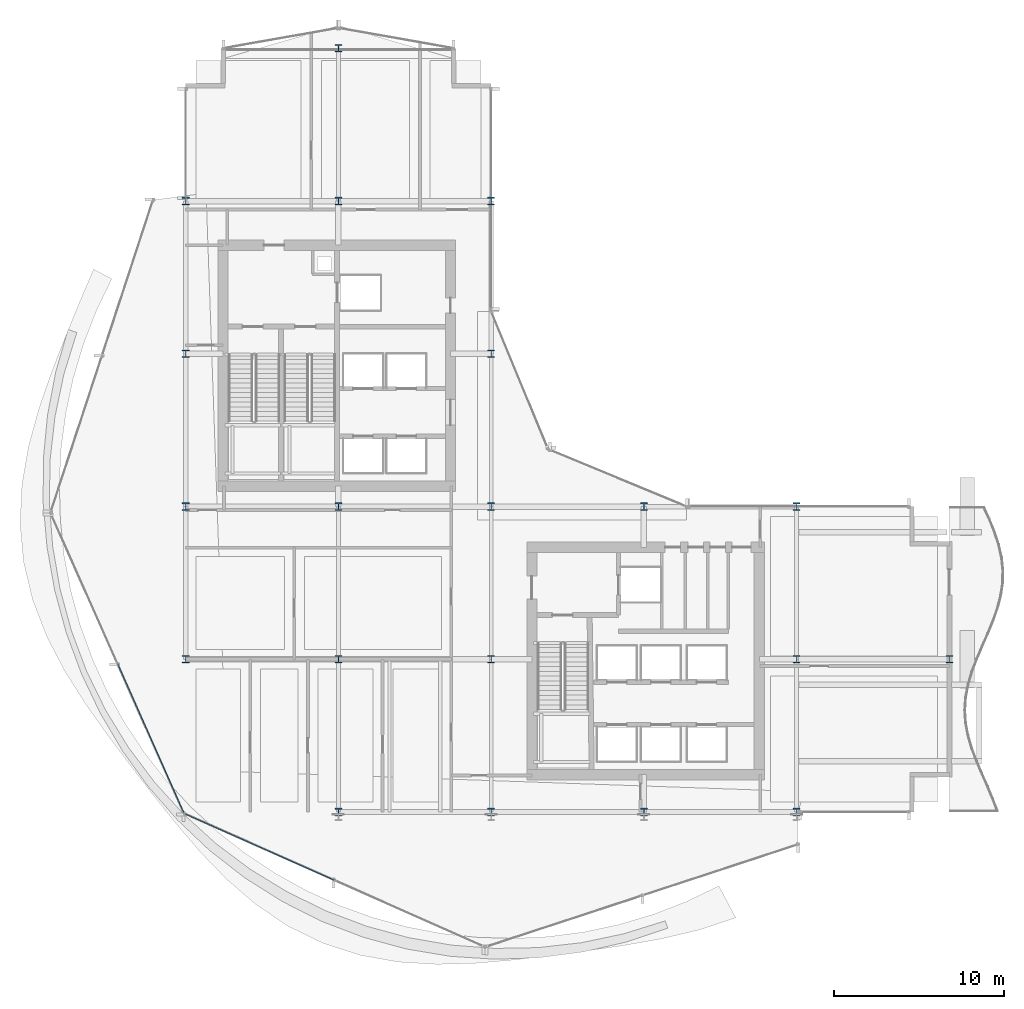
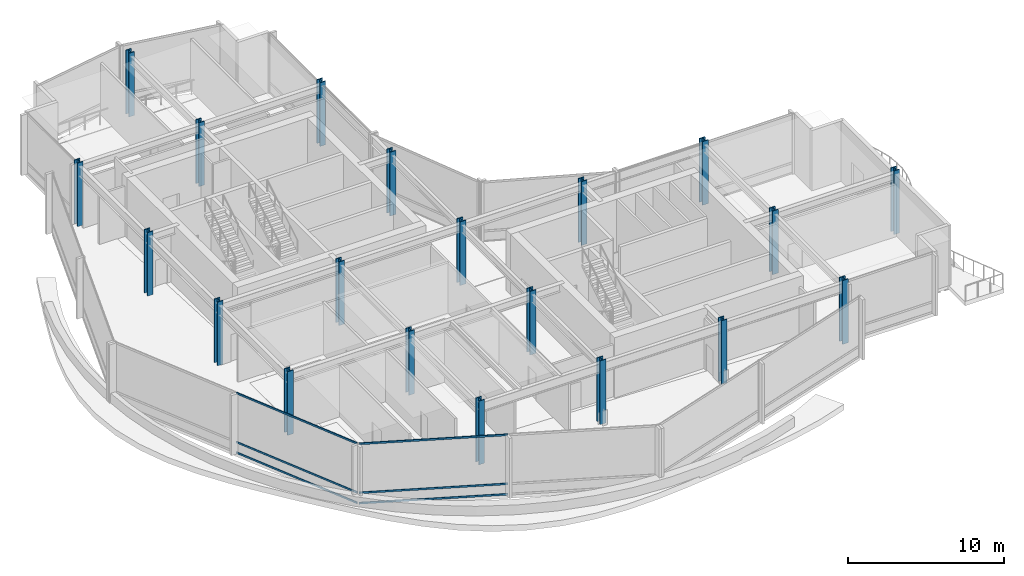
# One storey, part 1 of 33: 20 columns, 6 members, 2 elements without a shape of their own.
"""IFC4 building model written with IfcOpenShell, lengths in metres."""

from ifc_helpers import new_model, si_unit, direction, frame, origin, origin_2d, place, context, subcontext, project, spatial, hollow_rectangle, i_section, extrude, material, layer, layer_set, material_profile, profile_set, type_object, element, aggregate, save


model = new_model("IFC4")

# Units and contexts
model_context = context("Model", 3, precision=1e-05, world=origin(), true_north=direction((0.0, 1.0)))
body_context = subcontext(model_context, "Body", "Model", "MODEL_VIEW")
ifc_project = project(units=[si_unit("LENGTHUNIT", "METRE"), si_unit("AREAUNIT", "SQUARE_METRE"), si_unit("VOLUMEUNIT", "CUBIC_METRE"), si_unit("PLANEANGLEUNIT", "RADIAN"), si_unit("MASSUNIT", "GRAM", prefix="KILO")], contexts=[model_context])

# Site, building, storey
site_placement = place(None, origin())
site = spatial("IfcSite", under=ifc_project, at=site_placement, CompositionType="ELEMENT")
building_placement = place(site_placement, origin())
building = spatial("IfcBuilding", under=site, at=building_placement, Name="Solvaryn Broadcast Tower", CompositionType="ELEMENT")
storey_placement = place(building_placement, frame((0.0, 0.0, 105.0)))
storey = spatial("IfcBuildingStorey", under=building, at=storey_placement, Name="L25", CompositionType="ELEMENT", Elevation=105.0)

# Columns
ifc_material_1 = material(Name="Steel ASTM A913 Grade 65", Category="steel")
ifc_material_profile_1 = material_profile(ifc_material_1, i_section(OverallWidth=0.41796875, OverallDepth=0.455078125, WebThickness=0.0419921875, FlangeThickness=0.067626953125, FilletRadius=0.014892578125, at=origin_2d()))
ifc_profile_set_1 = profile_set([ifc_material_profile_1], Name="Steel ASTM A913 Grade 65")
column_type_1 = type_object("IfcColumnType", Name="COL-C05E-W14X370", PredefinedType="COLUMN", material=ifc_profile_set_1)
for number, where, z_axis, x_axis, name in (
    (1, (9.0, 18.0, 0.0), (0.0, 0.0, 1.0), (1.0, 0.0, 0.0), "L25 Column (9.0, 18.0)"),
    (2, (9.0, 27.0, 0.0), (0.0, 0.0, 1.0), (1.0, 0.0, 0.0), "L25 Column (9.0, 27.0)"),
    (3, (9.0, 36.0, 0.0), (0.0, 0.0, 1.0), (1.0, 0.0, 0.0), "L25 Column (9.0, 36.0)"),
    (4, (9.0, 45.0, 0.0), (0.0, 0.0, 1.0), (1.0, 0.0, 0.0), "L25 Column (9.0, 45.0)"),
    (5, (18.0, 9.0, 0.0), (0.0, 0.0, 1.0), (1.0, 0.0, 0.0), "L25 Column (18.0, 9.0)"),
    (6, (18.0, 54.0, 0.0), (0.0, 0.0, 1.0), (1.0, 0.0, 0.0), "L25 Column (18.0, 54.0)"),
    (7, (27.0, 9.0, 0.0), (0.0, 0.0, 1.0), (1.0, 0.0, 0.0), "L25 Column (27.0, 9.0)"),
    (8, (27.0, 36.0, 0.0), (0.0, 0.0, 1.0), (1.0, 0.0, 0.0), "L25 Column (27.0, 36.0)"),
    (9, (27.0, 45.0, 0.0), (0.0, 0.0, 1.0), (1.0, 0.0, 0.0), "L25 Column (27.0, 45.0)"),
    (10, (36.0, 9.0, 0.0), (0.0, 0.0, 1.0), (1.0, 0.0, 0.0), "L25 Column (36.0, 9.0)"),
    (11, (36.0, 27.0, 0.0), (0.0, 0.0, 1.0), (1.0, 0.0, 0.0), "L25 Column (36.0, 27.0)"),
    (12, (45.0, 9.0, 0.0), (0.0, 0.0, 1.0), (1.0, 0.0, 0.0), "L25 Column (45.0, 9.0)"),
    (13, (45.0, 27.0, 0.0), (0.0, 0.0, 1.0), (1.0, 0.0, 0.0), "L25 Column (45.0, 27.0)"),
    (14, (54.0, 18.0, 0.0), (0.0, 0.0, 1.0), (1.0, 0.0, 0.0), "L25 Column (54.0, 18.0)"),
):
    element("IfcColumn", number, at=place(storey_placement, frame(where, z_axis=z_axis, x_axis=x_axis)), inside=storey, type_object=column_type_1, Name=name, PredefinedType="COLUMN", context=body_context, shape_type="SweptSolid", body=[
        extrude(i_section(OverallWidth=0.41796875, OverallDepth=0.455078125, WebThickness=0.0419921875, FlangeThickness=0.067626953125, FilletRadius=0.014892578125, at=origin_2d()), origin(), (0.0, 0.0, 1.0), 5.0),
    ])
ifc_material_2 = material(Name="Steel ASTM A913 Grade 65", Category="steel")
ifc_material_profile_2 = material_profile(ifc_material_2, i_section(OverallWidth=0.41796875, OverallDepth=0.455078125, WebThickness=0.0419921875, FlangeThickness=0.067626953125, FilletRadius=0.014892578125, at=origin_2d()))
ifc_profile_set_2 = profile_set([ifc_material_profile_2], Name="Steel ASTM A913 Grade 65")
column_type_2 = type_object("IfcColumnType", Name="COL-C05I-W14X370", PredefinedType="COLUMN", material=ifc_profile_set_2)
for number, where, z_axis, x_axis, name in (
    (15, (18.0, 18.0, 0.0), (0.0, 0.0, 1.0), (1.0, 0.0, 0.0), "L25 Column (18.0, 18.0)"),
    (16, (18.0, 27.0, 0.0), (0.0, 0.0, 1.0), (1.0, 0.0, 0.0), "L25 Column (18.0, 27.0)"),
    (17, (18.0, 45.0, 0.0), (0.0, 0.0, 1.0), (1.0, 0.0, 0.0), "L25 Column (18.0, 45.0)"),
    (18, (27.0, 18.0, 0.0), (0.0, 0.0, 1.0), (1.0, 0.0, 0.0), "L25 Column (27.0, 18.0)"),
    (19, (27.0, 27.0, 0.0), (0.0, 0.0, 1.0), (1.0, 0.0, 0.0), "L25 Column (27.0, 27.0)"),
    (20, (45.0, 18.0, 0.0), (0.0, 0.0, 1.0), (1.0, 0.0, 0.0), "L25 Column (45.0, 18.0)"),
):
    element("IfcColumn", number, at=place(storey_placement, frame(where, z_axis=z_axis, x_axis=x_axis)), inside=storey, type_object=column_type_2, Name=name, PredefinedType="COLUMN", context=body_context, shape_type="SweptSolid", body=[
        extrude(i_section(OverallWidth=0.41796875, OverallDepth=0.455078125, WebThickness=0.0419921875, FlangeThickness=0.067626953125, FilletRadius=0.014892578125, at=origin_2d()), origin(), (0.0, 0.0, 1.0), 5.0),
    ])

# Curtain wall, members
ifc_material_3 = material(Name="Aluminium and Terracotta Unitised Curtain Wall", Category="masonry")
ifc_layer = layer(ifc_material_3, 0.25)
ifc_layer_set = layer_set([ifc_layer], Name="CW-SYS4-SKYGARDEN")
curtain_wall_type = type_object("IfcCurtainWallType", Name="CW-SYS4-SKYGARDEN", PredefinedType="NOTDEFINED", material=ifc_layer_set)
curtain_wall_1_placement = place(storey_placement, origin())
curtain_wall_1 = element("IfcCurtainWall", 21, at=curtain_wall_1_placement, inside=storey, type_object=curtain_wall_type, Name="L25 Curtain Wall DR2", PredefinedType="NOTDEFINED")
ifc_material_4 = material(Name="Anodised Aluminium 6063-T6", Category="aluminium")
ifc_material_profile_3 = material_profile(ifc_material_4, hollow_rectangle(XDim=0.06494140625, YDim=0.14990234375, WallThickness=0.00390625, InnerFilletRadius=0.00390625, OuterFilletRadius=0.008056640625, at=origin_2d()))
ifc_profile_set_3 = profile_set([ifc_material_profile_3], Name="Anodised Aluminium 6063-T6")
member_type = type_object("IfcMemberType", Name="CW-TRN-150", PredefinedType="USERDEFINED", material=ifc_profile_set_3)
member_1_placement = place(storey_placement, frame((4.983154296875, 17.74462890625, 0.030029296875), z_axis=(0.405912142424, -0.913912103341, 0.0), x_axis=(0.913912103341, 0.405912142424, 0.0)))
member_1 = element("IfcMember", 22, at=member_1_placement, type_object=member_type, Name="CWS4 transom 2.1", ObjectType="TRANSOM", PredefinedType="USERDEFINED", context=body_context, shape_type="SweptSolid", body=[
    extrude(hollow_rectangle(XDim=0.06494140625, YDim=0.14990234375, WallThickness=0.00390625, InnerFilletRadius=0.00390625, OuterFilletRadius=0.008056640625, at=origin_2d()), origin(), (0.0, 0.0, 1.0), 9.60888671875),
])
member_2_placement = place(storey_placement, frame((4.983154296875, 17.74462890625, 0.85009765625), z_axis=(0.405912142424, -0.913912103341, 0.0), x_axis=(0.913912103341, 0.405912142424, 0.0)))
member_2 = element("IfcMember", 23, at=member_2_placement, type_object=member_type, Name="CWS4 transom 2.2", ObjectType="TRANSOM", PredefinedType="USERDEFINED", context=body_context, shape_type="SweptSolid", body=[
    extrude(hollow_rectangle(XDim=0.06494140625, YDim=0.14990234375, WallThickness=0.00390625, InnerFilletRadius=0.00390625, OuterFilletRadius=0.008056640625, at=origin_2d()), origin(), (0.0, 0.0, 1.0), 9.60888671875),
])
member_3_placement = place(storey_placement, frame((4.983154296875, 17.74462890625, 4.68994140625), z_axis=(0.405912142424, -0.913912103341, 0.0), x_axis=(0.913912103341, 0.405912142424, 0.0)))
member_3 = element("IfcMember", 24, at=member_3_placement, type_object=member_type, Name="CWS4 transom 2.3", ObjectType="TRANSOM", PredefinedType="USERDEFINED", context=body_context, shape_type="SweptSolid", body=[
    extrude(hollow_rectangle(XDim=0.06494140625, YDim=0.14990234375, WallThickness=0.00390625, InnerFilletRadius=0.00390625, OuterFilletRadius=0.008056640625, at=origin_2d()), origin(), (0.0, 0.0, 1.0), 9.60888671875),
])
aggregate(curtain_wall_1, [member_1, member_2, member_3])

curtain_wall_2_placement = place(storey_placement, origin())
curtain_wall_2 = element("IfcCurtainWall", 25, at=curtain_wall_2_placement, inside=storey, type_object=curtain_wall_type, Name="L25 Curtain Wall DR3", PredefinedType="NOTDEFINED")
member_4_placement = place(storey_placement, frame((8.962890625, 8.883544921875, 0.030029296875), z_axis=(0.913912103341, -0.405912142424, 0.0), x_axis=(0.405912142424, 0.913912103341, 0.0)))
member_4 = element("IfcMember", 26, at=member_4_placement, type_object=member_type, Name="CWS4 transom 1.1", ObjectType="TRANSOM", PredefinedType="USERDEFINED", context=body_context, shape_type="SweptSolid", body=[
    extrude(hollow_rectangle(XDim=0.06494140625, YDim=0.14990234375, WallThickness=0.00390625, InnerFilletRadius=0.00390625, OuterFilletRadius=0.008056640625, at=origin_2d()), origin(), (0.0, 0.0, 1.0), 9.60888671875),
])
member_5_placement = place(storey_placement, frame((8.962890625, 8.883544921875, 0.85009765625), z_axis=(0.913912103341, -0.405912142424, 0.0), x_axis=(0.405912142424, 0.913912103341, 0.0)))
member_5 = element("IfcMember", 27, at=member_5_placement, type_object=member_type, Name="CWS4 transom 1.2", ObjectType="TRANSOM", PredefinedType="USERDEFINED", context=body_context, shape_type="SweptSolid", body=[
    extrude(hollow_rectangle(XDim=0.06494140625, YDim=0.14990234375, WallThickness=0.00390625, InnerFilletRadius=0.00390625, OuterFilletRadius=0.008056640625, at=origin_2d()), origin(), (0.0, 0.0, 1.0), 9.60888671875),
])
member_6_placement = place(storey_placement, frame((8.962890625, 8.883544921875, 4.68994140625), z_axis=(0.913912103341, -0.405912142424, 0.0), x_axis=(0.405912142424, 0.913912103341, 0.0)))
member_6 = element("IfcMember", 28, at=member_6_placement, type_object=member_type, Name="CWS4 transom 1.3", ObjectType="TRANSOM", PredefinedType="USERDEFINED", context=body_context, shape_type="SweptSolid", body=[
    extrude(hollow_rectangle(XDim=0.06494140625, YDim=0.14990234375, WallThickness=0.00390625, InnerFilletRadius=0.00390625, OuterFilletRadius=0.008056640625, at=origin_2d()), origin(), (0.0, 0.0, 1.0), 9.60888671875),
])
aggregate(curtain_wall_2, [member_4, member_5, member_6])

save(model, "model.ifc")
